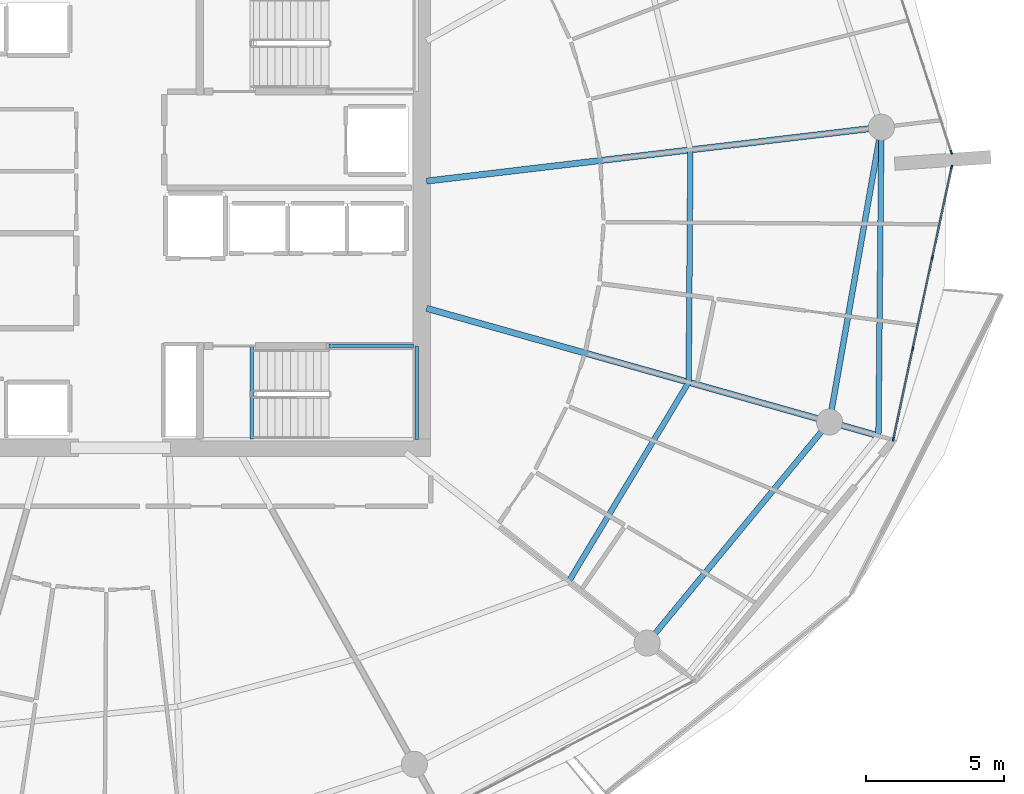
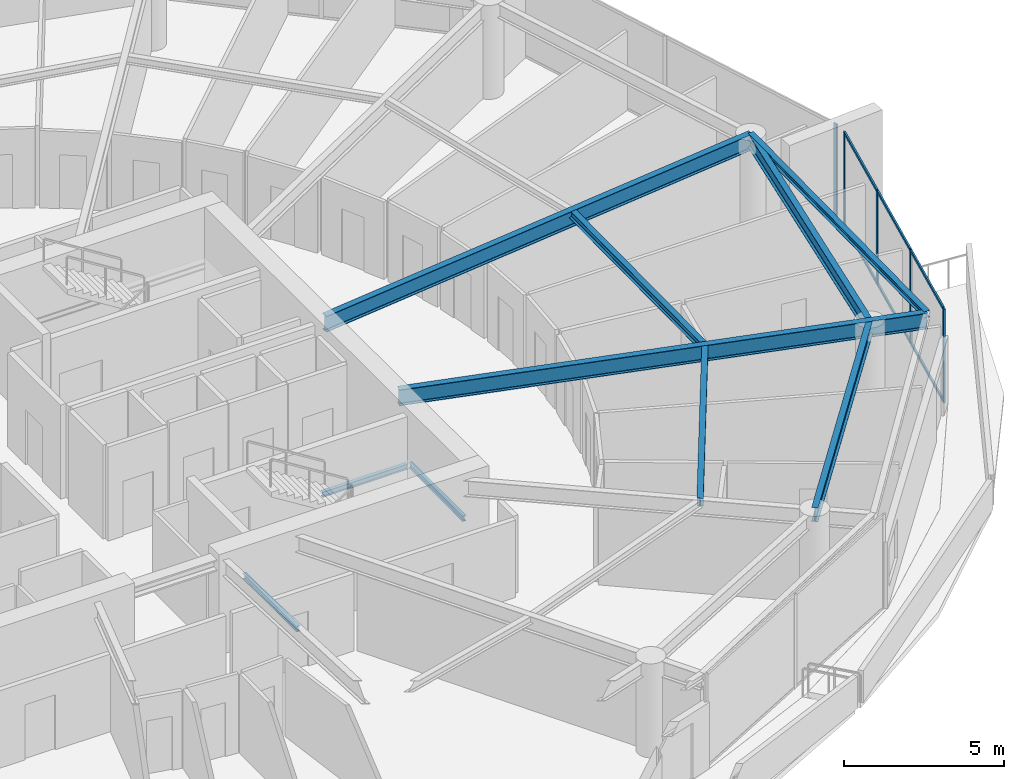
# One storey, part 11 of 30: 11 members, 10 beams, 2 elements without a shape of their own.
"""IFC4 building model written with IfcOpenShell, lengths in metres."""

from ifc_helpers import new_model, si_unit, direction, frame, origin, origin_2d, place, context, subcontext, project, spatial, rectangle, i_section, extrude, material, layer, layer_set, material_profile, profile_set, type_object, element, aggregate, save


model = new_model("IFC4")

# Units and contexts
model_context = context("Model", 3, precision=1e-05, world=origin(), true_north=direction((0.0, 1.0)))
body_context = subcontext(model_context, "Body", "Model", "MODEL_VIEW")
ifc_project = project(units=[si_unit("LENGTHUNIT", "METRE"), si_unit("AREAUNIT", "SQUARE_METRE"), si_unit("VOLUMEUNIT", "CUBIC_METRE"), si_unit("PLANEANGLEUNIT", "RADIAN"), si_unit("MASSUNIT", "GRAM", prefix="KILO")], contexts=[model_context])

# Site, building, storey
site_placement = place(None, origin())
site = spatial("IfcSite", under=ifc_project, at=site_placement, CompositionType="ELEMENT")
building_placement = place(site_placement, origin())
building = spatial("IfcBuilding", under=site, at=building_placement, Name="Kazma Halo Residences", CompositionType="ELEMENT")
storey_placement = place(building_placement, frame((0.0, 0.0, 236.699951171875)))
storey = spatial("IfcBuildingStorey", under=building, at=storey_placement, Name="L59", CompositionType="ELEMENT", Elevation=236.699951171875)

# Beams
ifc_material_1 = material(Name="Steel S355", Category="steel")
ifc_material_profile_1 = material_profile(ifc_material_1, i_section(OverallWidth=0.201904296875, OverallDepth=0.2470703125, WebThickness=0.00732421875, FlangeThickness=0.010986328125, FilletRadius=0.011962890625, at=origin_2d()), Name="W250x49.1")
ifc_profile_set_1 = profile_set([ifc_material_profile_1], Name="Steel S355")
beam_type_1 = type_object("IfcBeamType", Name="BM-BAL-CANT", PredefinedType="BEAM", material=ifc_profile_set_1)
beam_1_placement = place(storey_placement, frame((75.971435546875, 34.111083984375, 3.466552734375), z_axis=(0.009645503464, 0.999953481049, 0.0), x_axis=(-0.999953481049, 0.009645503464, 0.0)))
element("IfcBeam", 1, at=beam_1_placement, inside=storey, type_object=beam_type_1, Name="L59 wave-balcony tie beam 15", PredefinedType="BEAM", context=body_context, shape_type="SweptSolid", body=[
    extrude(i_section(OverallWidth=0.201904296875, OverallDepth=0.2470703125, WebThickness=0.00732421875, FlangeThickness=0.010986328125, FilletRadius=0.011962890625, at=origin_2d()), origin(), (0.0, 0.0, 1.0), 11.212890625),
])
ifc_material_profile_2 = material_profile(ifc_material_1, i_section(OverallWidth=0.22802734375, OverallDepth=0.60791015625, WebThickness=0.01123046875, FlangeThickness=0.017333984375, FilletRadius=0.01806640625, at=origin_2d()), Name="W610x113")
ifc_profile_set_2 = profile_set([ifc_material_profile_2], Name="Steel S355")
beam_type_2 = type_object("IfcBeamType", Name="BM-RAD-W610", PredefinedType="BEAM", material=ifc_profile_set_2)
beam_2_placement = place(storey_placement, frame((59.550048828125, 38.74267578125, 3.2861328125), z_axis=(0.96245092213, -0.271455746837, 0.0), x_axis=(0.271455746837, 0.96245092213, 0.0)))
element("IfcBeam", 2, at=beam_2_placement, inside=storey, type_object=beam_type_2, Name="L59 radial floor beam 15", PredefinedType="BEAM", context=body_context, shape_type="SweptSolid", body=[
    extrude(i_section(OverallWidth=0.22802734375, OverallDepth=0.60791015625, WebThickness=0.01123046875, FlangeThickness=0.017333984375, FilletRadius=0.01806640625, at=origin_2d()), origin(), (0.0, 0.0, 1.0), 17.06201171875),
])
beam_3_placement = place(storey_placement, frame((59.550048828125, 43.366943359375, 3.2861328125), z_axis=(0.993067455077, 0.117545861975, 0.0), x_axis=(-0.117545861975, 0.993067455077, 0.0)))
element("IfcBeam", 3, at=beam_3_placement, inside=storey, type_object=beam_type_2, Name="L59 radial floor beam 16", PredefinedType="BEAM", context=body_context, shape_type="SweptSolid", body=[
    extrude(i_section(OverallWidth=0.22802734375, OverallDepth=0.60791015625, WebThickness=0.01123046875, FlangeThickness=0.017333984375, FilletRadius=0.01806640625, at=origin_2d()), origin(), (0.0, 0.0, 1.0), 16.64501953125),
])
ifc_material_profile_3 = material_profile(ifc_material_1, i_section(OverallWidth=0.202880859375, OverallDepth=0.302978515625, WebThickness=0.007568359375, FlangeThickness=0.01318359375, FilletRadius=0.013916015625, at=origin_2d()), Name="W310x60")
ifc_profile_set_3 = profile_set([ifc_material_profile_3], Name="Steel S355")
beam_type_3 = type_object("IfcBeamType", Name="BM-SEC-W310A", PredefinedType="JOIST", material=ifc_profile_set_3)
beam_4_placement = place(storey_placement, frame((64.719482421875, 28.8193359375, 3.4384765625), z_axis=(0.515604761061, 0.856826546257, 0.0), x_axis=(-0.856826546257, 0.515604761061, 0.0)))
element("IfcBeam", 4, at=beam_4_placement, inside=storey, type_object=beam_type_3, Name="L59 circumferential floor joist 14", PredefinedType="JOIST", context=body_context, shape_type="SweptSolid", body=[
    extrude(i_section(OverallWidth=0.202880859375, OverallDepth=0.302978515625, WebThickness=0.007568359375, FlangeThickness=0.01318359375, FilletRadius=0.013916015625, at=origin_2d()), origin(), (0.0, 0.0, 1.0), 8.4462890625),
])
beam_5_placement = place(storey_placement, frame((69.074462890625, 36.056396484375, 3.4384765625), z_axis=(0.007429258426, 0.999972402679, 0.0), x_axis=(-0.999972402679, 0.007429258426, 0.0)))
element("IfcBeam", 5, at=beam_5_placement, inside=storey, type_object=beam_type_3, Name="L59 circumferential floor joist 15", PredefinedType="JOIST", context=body_context, shape_type="SweptSolid", body=[
    extrude(i_section(OverallWidth=0.202880859375, OverallDepth=0.302978515625, WebThickness=0.007568359375, FlangeThickness=0.01318359375, FilletRadius=0.013916015625, at=origin_2d()), origin(), (0.0, 0.0, 1.0), 8.445556640625),
])
ifc_material_profile_4 = material_profile(ifc_material_1, i_section(OverallWidth=0.208984375, OverallDepth=0.532958984375, WebThickness=0.01025390625, FlangeThickness=0.015625, FilletRadius=0.01611328125, at=origin_2d()), Name="W530x92")
ifc_profile_set_4 = profile_set([ifc_material_profile_4], Name="Steel S355")
beam_type_4 = type_object("IfcBeamType", Name="BM-SPN-W530", PredefinedType="BEAM", material=ifc_profile_set_4)
beam_6_placement = place(storey_placement, frame((67.566162109375, 26.5751953125, 3.323486328125), z_axis=(0.636002144225, 0.771687289348, 0.0), x_axis=(-0.771687289348, 0.636002144225, 0.0)))
element("IfcBeam", 6, at=beam_6_placement, inside=storey, type_object=beam_type_4, Name="L59 perimeter ring beam 14", PredefinedType="BEAM", context=body_context, shape_type="SweptSolid", body=[
    extrude(i_section(OverallWidth=0.208984375, OverallDepth=0.532958984375, WebThickness=0.01025390625, FlangeThickness=0.015625, FilletRadius=0.01611328125, at=origin_2d()), origin(), (0.0, 0.0, 1.0), 10.416259765625),
])
beam_7_placement = place(storey_placement, frame((74.19091796875, 34.61328125, 3.323486328125), z_axis=(0.173663672311, 0.984805020763, 0.0), x_axis=(-0.984805020763, 0.173663672311, 0.0)))
element("IfcBeam", 7, at=beam_7_placement, inside=storey, type_object=beam_type_4, Name="L59 perimeter ring beam 15", PredefinedType="BEAM", context=body_context, shape_type="SweptSolid", body=[
    extrude(i_section(OverallWidth=0.208984375, OverallDepth=0.532958984375, WebThickness=0.01025390625, FlangeThickness=0.015625, FilletRadius=0.01611328125, at=origin_2d()), origin(), (0.0, 0.0, 1.0), 10.87548828125),
])
ifc_material_profile_5 = material_profile(ifc_material_1, i_section(OverallWidth=0.133056640625, OverallDepth=0.20703125, WebThickness=0.005859375, FlangeThickness=0.00830078125, FilletRadius=0.010009765625, at=origin_2d()), Name="W200x26.6")
ifc_profile_set_5 = profile_set([ifc_material_profile_5], Name="Steel S355")
beam_type_5 = type_object("IfcBeamType", Name="BM-TRIM-W200", PredefinedType="BEAM", material=ifc_profile_set_5)
beam_8_placement = place(storey_placement, frame((53.199951171875, 34.0, -0.510009765625), z_axis=(0.0, 1.0, 0.0), x_axis=(-1.0, 0.0, 0.0)))
element("IfcBeam", 8, at=beam_8_placement, inside=storey, type_object=beam_type_5, Name="L59 ST-03 floor landing support beam", PredefinedType="BEAM", context=body_context, shape_type="SweptSolid", body=[
    extrude(i_section(OverallWidth=0.133056640625, OverallDepth=0.20703125, WebThickness=0.005859375, FlangeThickness=0.00830078125, FilletRadius=0.010009765625, at=origin_2d()), origin(), (0.0, 0.0, 1.0), 3.3798828125),
])
beam_9_placement = place(storey_placement, frame((56.0, 37.3798828125, 1.6201171875), z_axis=(1.0, 0.0, 0.0), x_axis=(0.0, 1.0, 0.0)))
element("IfcBeam", 9, at=beam_9_placement, inside=storey, type_object=beam_type_5, Name="L59 ST-03 landing north wall ledger", PredefinedType="BEAM", context=body_context, shape_type="SweptSolid", body=[
    extrude(i_section(OverallWidth=0.133056640625, OverallDepth=0.20703125, WebThickness=0.005859375, FlangeThickness=0.00830078125, FilletRadius=0.010009765625, at=origin_2d()), origin(), (0.0, 0.0, 1.0), 3.070068359375),
])
beam_10_placement = place(storey_placement, frame((59.18994140625, 33.97998046875, 1.6201171875), z_axis=(0.0, 1.0, 0.0), x_axis=(-1.0, 0.0, 0.0)))
element("IfcBeam", 10, at=beam_10_placement, inside=storey, type_object=beam_type_5, Name="L59 ST-03 landing end wall ledger", PredefinedType="BEAM", context=body_context, shape_type="SweptSolid", body=[
    extrude(i_section(OverallWidth=0.133056640625, OverallDepth=0.20703125, WebThickness=0.005859375, FlangeThickness=0.00830078125, FilletRadius=0.010009765625, at=origin_2d()), origin(), (0.0, 0.0, 1.0), 3.39990234375),
])

# Curtain wall, members
ifc_material_2 = material(Name="Aluminium AW-6063 T6 and Triple-Silver Low-E Glass", Category="aluminium")
ifc_layer = layer(ifc_material_2, 0.139892578125)
ifc_layer_set = layer_set([ifc_layer], Name="Aluminium AW-6063 T6 and Triple-Silver Low-E Glass")
curtain_wall_type = type_object("IfcCurtainWallType", Name="CW-SYS-5", PredefinedType="NOTDEFINED", material=ifc_layer_set)
curtain_wall_1_placement = place(storey_placement, origin())
curtain_wall_1 = element("IfcCurtainWall", 11, at=curtain_wall_1_placement, inside=storey, type_object=curtain_wall_type, Name="L59 unitised curtain wall B15", PredefinedType="NOTDEFINED")
ifc_material_3 = material(Name="Aluminium AW-6063 T6", Category="aluminium")
ifc_material_profile_6 = material_profile(ifc_material_3, rectangle(XDim=0.06005859375, YDim=0.139892578125, at=origin_2d()), Name="CWM-60x140")
ifc_profile_set_6 = profile_set([ifc_material_profile_6], Name="Aluminium AW-6063 T6")
member_type_1 = type_object("IfcMemberType", Name="CW-SYS-5-MUL", PredefinedType="MULLION", material=ifc_profile_set_6)
member_1_placement = place(storey_placement, frame((76.514892578125, 33.989013671875, 0.0), z_axis=(0.0, 0.0, 1.0), x_axis=(-0.97777491373, 0.209657382603, 0.0)))
member_1 = element("IfcMember", 12, at=member_1_placement, type_object=member_type_1, Name="CWS-5 mullion 1", PredefinedType="MULLION", context=body_context, shape_type="SweptSolid", body=[
    extrude(rectangle(XDim=0.06005859375, YDim=0.139892578125, at=origin_2d()), origin(), (0.0, 0.0, 1.0), 3.590087890625),
])
member_2_placement = place(storey_placement, frame((77.218994140625, 37.2734375, 0.0), z_axis=(0.0, 0.0, 1.0), x_axis=(-0.97777491373, 0.209657382603, 0.0)))
member_2 = element("IfcMember", 13, at=member_2_placement, type_object=member_type_1, Name="CWS-5 mullion 2", PredefinedType="MULLION", context=body_context, shape_type="SweptSolid", body=[
    extrude(rectangle(XDim=0.06005859375, YDim=0.139892578125, at=origin_2d()), origin(), (0.0, 0.0, 1.0), 3.590087890625),
])
member_3_placement = place(storey_placement, frame((77.9296875, 40.587158203125, 0.0), z_axis=(0.0, 0.0, 1.0), x_axis=(-0.97777491373, 0.209657382603, 0.0)))
member_3 = element("IfcMember", 14, at=member_3_placement, type_object=member_type_1, Name="CWS-5 mullion 3", PredefinedType="MULLION", context=body_context, shape_type="SweptSolid", body=[
    extrude(rectangle(XDim=0.06005859375, YDim=0.139892578125, at=origin_2d()), origin(), (0.0, 0.0, 1.0), 3.590087890625),
])
member_4_placement = place(storey_placement, frame((78.6337890625, 43.87158203125, 0.0), z_axis=(0.0, 0.0, 1.0), x_axis=(-0.97777491373, 0.209657382603, 0.0)))
member_4 = element("IfcMember", 15, at=member_4_placement, type_object=member_type_1, Name="CWS-5 mullion 4", PredefinedType="MULLION", context=body_context, shape_type="SweptSolid", body=[
    extrude(rectangle(XDim=0.06005859375, YDim=0.139892578125, at=origin_2d()), origin(), (0.0, 0.0, 1.0), 3.590087890625),
])

# Curtain wall, member
curtain_wall_2_placement = place(storey_placement, origin())
curtain_wall_2 = element("IfcCurtainWall", 16, at=curtain_wall_2_placement, inside=storey, type_object=curtain_wall_type, Name="L59 unitised curtain wall B16", PredefinedType="NOTDEFINED")
member_5_placement = place(storey_placement, frame((78.622802734375, 44.412353515625, 0.0), z_axis=(0.0, 0.0, 1.0), x_axis=(-0.951058464359, -0.309010998786, 0.0)))
member_5 = element("IfcMember", 17, at=member_5_placement, type_object=member_type_1, Name="CWS-5 mullion 1", PredefinedType="MULLION", context=body_context, shape_type="SweptSolid", body=[
    extrude(rectangle(XDim=0.06005859375, YDim=0.139892578125, at=origin_2d()), origin(), (0.0, 0.0, 1.0), 3.590087890625),
])
aggregate(curtain_wall_2, [member_5])

# Member
ifc_material_profile_7 = material_profile(ifc_material_3, rectangle(XDim=0.06005859375, YDim=0.10498046875, at=origin_2d()), Name="CWT-60x105")
ifc_profile_set_7 = profile_set([ifc_material_profile_7], Name="Aluminium AW-6063 T6")
member_type_2 = type_object("IfcMemberType", Name="CW-SYS-5-TRN", PredefinedType="USERDEFINED", material=ifc_profile_set_7)
member_6_placement = place(storey_placement, frame((76.52099609375, 34.0185546875, 0.030029296875), z_axis=(0.209660493552, 0.977774246666, 0.0), x_axis=(-0.977774246666, 0.209660493552, 0.0)))
member_6 = element("IfcMember", 18, at=member_6_placement, type_object=member_type_2, Name="CWS-5 transom 1.1", ObjectType="TRANSOM", PredefinedType="USERDEFINED", context=body_context, shape_type="SweptSolid", body=[
    extrude(rectangle(XDim=0.06005859375, YDim=0.10498046875, at=origin_2d()), origin(), (0.0, 0.0, 1.0), 3.298828125),
])

member_7_placement = place(storey_placement, frame((76.52099609375, 34.0185546875, 3.56005859375), z_axis=(0.209660493552, 0.977774246666, 0.0), x_axis=(-0.977774246666, 0.209660493552, 0.0)))
member_7 = element("IfcMember", 19, at=member_7_placement, type_object=member_type_2, Name="CWS-5 transom 1.2", ObjectType="TRANSOM", PredefinedType="USERDEFINED", context=body_context, shape_type="SweptSolid", body=[
    extrude(rectangle(XDim=0.06005859375, YDim=0.10498046875, at=origin_2d()), origin(), (0.0, 0.0, 1.0), 3.298828125),
])

member_8_placement = place(storey_placement, frame((77.225341796875, 37.302734375, 0.030029296875), z_axis=(0.209664309019, 0.977773428522, 0.0), x_axis=(-0.977773428522, 0.209664309019, 0.0)))
member_8 = element("IfcMember", 20, at=member_8_placement, type_object=member_type_2, Name="CWS-5 transom 2.1", ObjectType="TRANSOM", PredefinedType="USERDEFINED", context=body_context, shape_type="SweptSolid", body=[
    extrude(rectangle(XDim=0.06005859375, YDim=0.10498046875, at=origin_2d()), origin(), (0.0, 0.0, 1.0), 3.3291015625),
])

member_9_placement = place(storey_placement, frame((77.225341796875, 37.302734375, 3.56005859375), z_axis=(0.209664309019, 0.977773428522, 0.0), x_axis=(-0.977773428522, 0.209664309019, 0.0)))
member_9 = element("IfcMember", 21, at=member_9_placement, type_object=member_type_2, Name="CWS-5 transom 2.2", ObjectType="TRANSOM", PredefinedType="USERDEFINED", context=body_context, shape_type="SweptSolid", body=[
    extrude(rectangle(XDim=0.06005859375, YDim=0.10498046875, at=origin_2d()), origin(), (0.0, 0.0, 1.0), 3.3291015625),
])

member_10_placement = place(storey_placement, frame((77.935791015625, 40.616455078125, 0.030029296875), z_axis=(0.209645323239, 0.977777499457, 0.0), x_axis=(-0.977777499457, 0.209645323239, 0.0)))
member_10 = element("IfcMember", 22, at=member_10_placement, type_object=member_type_2, Name="CWS-5 transom 3.1", ObjectType="TRANSOM", PredefinedType="USERDEFINED", context=body_context, shape_type="SweptSolid", body=[
    extrude(rectangle(XDim=0.06005859375, YDim=0.10498046875, at=origin_2d()), origin(), (0.0, 0.0, 1.0), 3.299072265625),
])

member_11_placement = place(storey_placement, frame((77.935791015625, 40.616455078125, 3.56005859375), z_axis=(0.209645323239, 0.977777499457, 0.0), x_axis=(-0.977777499457, 0.209645323239, 0.0)))
member_11 = element("IfcMember", 23, at=member_11_placement, type_object=member_type_2, Name="CWS-5 transom 3.2", ObjectType="TRANSOM", PredefinedType="USERDEFINED", context=body_context, shape_type="SweptSolid", body=[
    extrude(rectangle(XDim=0.06005859375, YDim=0.10498046875, at=origin_2d()), origin(), (0.0, 0.0, 1.0), 3.299072265625),
])

aggregate(curtain_wall_1, [member_1, member_2, member_3, member_4, member_6, member_7, member_8, member_9, member_10, member_11])

save(model, "model.ifc")
